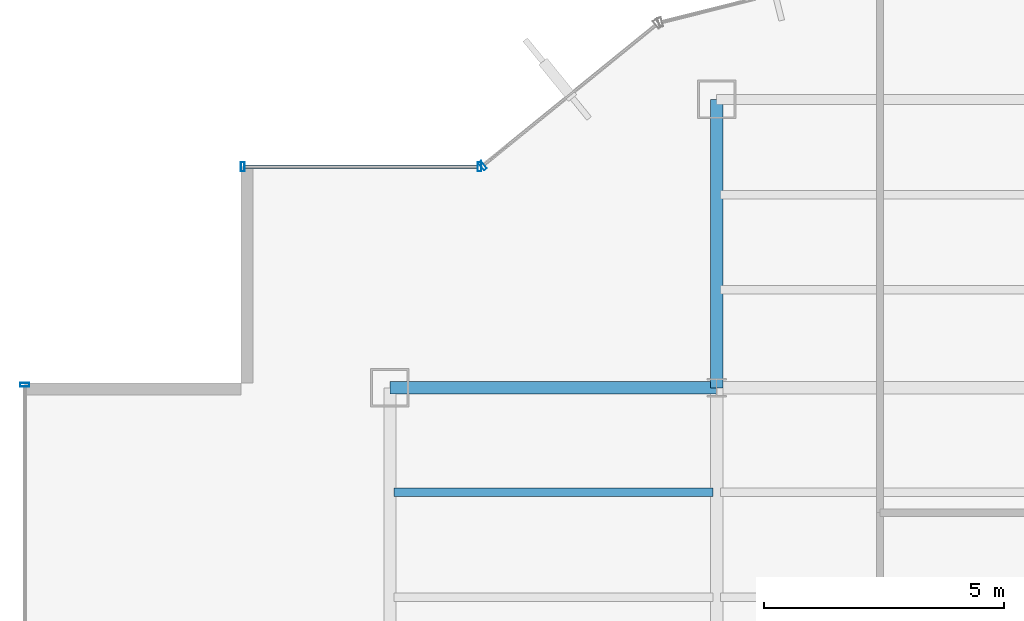
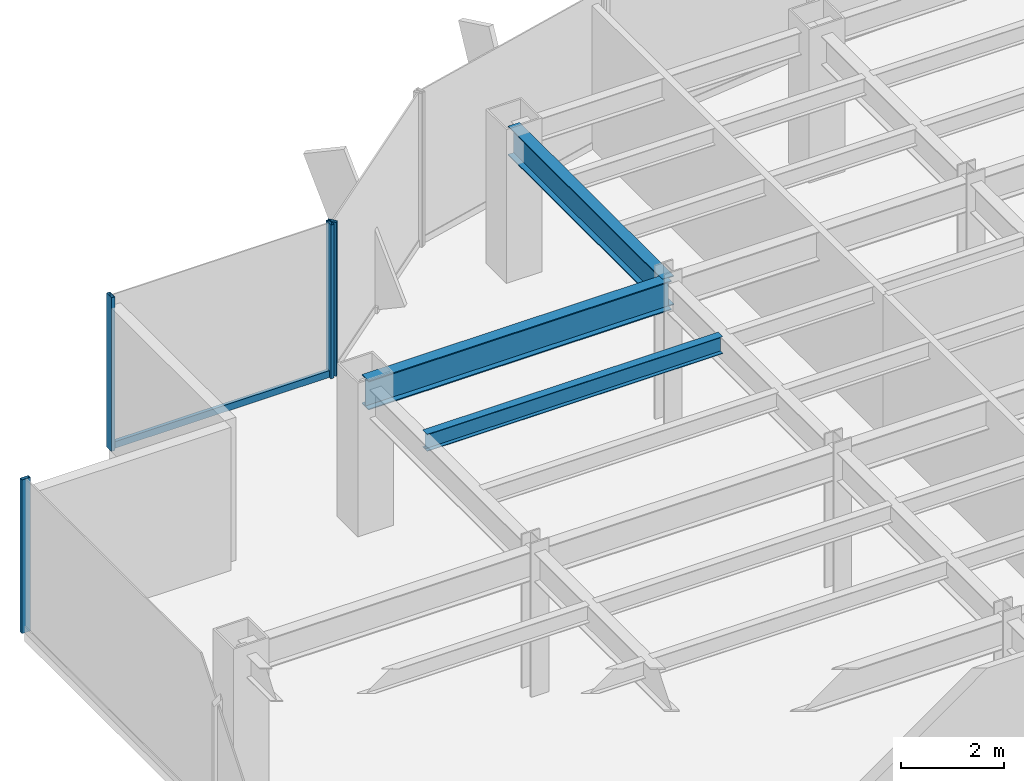
# One storey, part 13 of 26: 5 members, 3 beams, 3 elements without a shape of their own.
"""IFC4 building model written with IfcOpenShell, lengths in metres."""

from ifc_helpers import new_model, si_unit, derived_unit, direction, frame, origin, origin_2d, place, context, subcontext, project, spatial, hollow_rectangle, i_section, extrude, source, transform, mapped, material, material_profile, profile_set, type_object, element, aggregate, save


model = new_model("IFC4")

# Units and contexts
model_context = context("Model", 3, precision=1e-05, world=origin(), true_north=direction((0.0, 1.0)))
body_context = subcontext(model_context, "Body", "Model", "MODEL_VIEW")
ifc_project = project(units=[si_unit("LENGTHUNIT", "METRE"), si_unit("AREAUNIT", "SQUARE_METRE"), si_unit("VOLUMEUNIT", "CUBIC_METRE"), si_unit("PLANEANGLEUNIT", "RADIAN"), si_unit("MASSUNIT", "GRAM", prefix="KILO"), derived_unit("THERMALTRANSMITTANCEUNIT", [(si_unit("POWERUNIT", "WATT"), 1), (si_unit("LENGTHUNIT", "METRE"), -2), (si_unit("THERMODYNAMICTEMPERATUREUNIT", "KELVIN"), -1)])], contexts=[model_context])

# Site, building, storey
site_placement = place(None, origin())
site = spatial("IfcSite", under=ifc_project, at=site_placement, CompositionType="ELEMENT")
building_placement = place(site_placement, origin())
building = spatial("IfcBuilding", under=site, at=building_placement, Name="Skarnbrae Concourse Arena and Tower", CompositionType="ELEMENT")
storey_placement = place(building_placement, frame((0.0, 0.0, 114.199951171875)))
storey = spatial("IfcBuildingStorey", under=building, at=storey_placement, Name="L28", CompositionType="ELEMENT", Elevation=114.199951171875)

# Beams
ifc_material_1 = material(Name="Steel CSA G40.21 350W", Category="steel")
ifc_material_profile_1 = material_profile(ifc_material_1, i_section(OverallWidth=0.256103515625, OverallDepth=0.693115234375, WebThickness=0.014404296875, FlangeThickness=0.023681640625, at=origin_2d()), Name="W690X170")
ifc_profile_set_1 = profile_set([ifc_material_profile_1], Name="Steel CSA G40.21 350W")
beam_type_1 = type_object("IfcBeamType", Name="BM-GIRD-W690X170", PredefinedType="BEAM", material=ifc_profile_set_1)
shared_shape_1 = source(origin(), body_context, "Body", "SweptSolid", [
    extrude(i_section(OverallWidth=0.256103515625, OverallDepth=0.693115234375, WebThickness=0.014404296875, FlangeThickness=0.023681640625, at=origin_2d()), origin(), (0.0, 0.0, 1.0), 6.7998046875),
])
beam_1_placement = place(storey_placement, frame((7.60009765625, 34.39990234375, 3.053466796875), z_axis=(1.0, 0.0, 0.0), x_axis=(0.0, 1.0, 0.0)))
element("IfcBeam", 1, at=beam_1_placement, inside=storey, type_object=beam_type_1, Name="L28 Primary E-W girder Y34.4-1", PredefinedType="BEAM", context=body_context, shape_type="MappedRepresentation", body=[
    mapped(shared_shape_1, transform((0.0, 0.0, 0.0))),
])
shared_shape_2 = source(origin(), body_context, "Body", "SweptSolid", [
    extrude(i_section(OverallWidth=0.256103515625, OverallDepth=0.693115234375, WebThickness=0.014404296875, FlangeThickness=0.023681640625, at=origin_2d()), origin(), (0.0, 0.0, 1.0), 6.0),
])
beam_2_placement = place(storey_placement, frame((14.39990234375, 34.39990234375, 3.053466796875), z_axis=(0.0, 1.0, 0.0), x_axis=(-1.0, 0.0, 0.0)))
element("IfcBeam", 2, at=beam_2_placement, inside=storey, type_object=beam_type_1, Name="L28 Primary N-S girder X14.4-4", PredefinedType="BEAM", context=body_context, shape_type="MappedRepresentation", body=[
    mapped(shared_shape_2, transform((0.0, 0.0, 0.0))),
])
ifc_material_profile_2 = material_profile(ifc_material_1, i_section(OverallWidth=0.177978515625, OverallDepth=0.406982421875, WebThickness=0.0078125, FlangeThickness=0.0126953125, at=origin_2d()), Name="W410X60")
ifc_profile_set_2 = profile_set([ifc_material_profile_2], Name="Steel CSA G40.21 350W")
beam_type_2 = type_object("IfcBeamType", Name="BM-JOIST-W410X60", PredefinedType="JOIST", material=ifc_profile_set_2)
shared_shape_3 = source(origin(), body_context, "Body", "SweptSolid", [
    extrude(i_section(OverallWidth=0.177978515625, OverallDepth=0.406982421875, WebThickness=0.0078125, FlangeThickness=0.0126953125, at=origin_2d()), origin(), (0.0, 0.0, 1.0), 6.64013671875),
])
beam_3_placement = place(storey_placement, frame((7.679931640625, 32.221923828125, 3.196533203125), z_axis=(1.0, 0.0, 0.0), x_axis=(0.0, 1.0, 0.0)))
element("IfcBeam", 3, at=beam_3_placement, inside=storey, type_object=beam_type_2, Name="L28 Secondary floor joist 3.2.1", PredefinedType="JOIST", context=body_context, shape_type="MappedRepresentation", body=[
    mapped(shared_shape_3, transform((0.0, 0.0, 0.0))),
])

# Curtain wall, member
ifc_material_2 = material(Name="Bronze anodised aluminium 6063-T6", Category="aluminium")
curtain_wall_type = type_object("IfcCurtainWallType", Name="CW-SYS-04-MIDZONE", PredefinedType="USERDEFINED", material=ifc_material_2)
curtain_wall_1_placement = place(storey_placement, origin())
curtain_wall_1 = element("IfcCurtainWall", 4, at=curtain_wall_1_placement, inside=storey, type_object=curtain_wall_type, Name="L28 Unitised curtain wall CW-L28-E15", ObjectType="UNITISED CURTAIN WALL", PredefinedType="USERDEFINED")
ifc_material_profile_3 = material_profile(ifc_material_2, hollow_rectangle(XDim=0.074951171875, YDim=0.195068359375, WallThickness=0.00439453125, at=origin_2d()), Name="ALU-MULL-75X195")
ifc_profile_set_3 = profile_set([ifc_material_profile_3], Name="Bronze anodised aluminium 6063-T6")
member_type_1 = type_object("IfcMemberType", Name="CWM-CW-04", PredefinedType="MULLION", material=ifc_profile_set_3)
shared_shape_4 = source(origin(), body_context, "Body", "SweptSolid", [
    extrude(hollow_rectangle(XDim=0.074951171875, YDim=0.195068359375, WallThickness=0.00439453125, at=origin_2d()), origin(), (0.0, 0.0, 1.0), 3.650146484375),
])
member_1_placement = place(storey_placement, frame((9.529052734375, 39.023681640625, 0.0), z_axis=(0.0, 0.0, 1.0), x_axis=(-0.776241200471, -0.630436038542, 0.0)))
member_1 = element("IfcMember", 5, at=member_1_placement, type_object=member_type_1, Name="CW-L28-E15 Mullion 2", PredefinedType="MULLION", context=body_context, shape_type="MappedRepresentation", body=[
    mapped(shared_shape_4, transform((0.0, 0.0, 0.0))),
])
aggregate(curtain_wall_1, [member_1])

# Curtain wall, members
curtain_wall_2_placement = place(storey_placement, origin())
curtain_wall_2 = element("IfcCurtainWall", 6, at=curtain_wall_2_placement, inside=storey, type_object=curtain_wall_type, Name="L28 Unitised curtain wall CW-L28-E16", ObjectType="UNITISED CURTAIN WALL", PredefinedType="USERDEFINED")
member_2_placement = place(storey_placement, frame((9.46240234375, 39.0, 0.0), z_axis=(0.0, 0.0, 1.0), x_axis=(-1.0, 0.0, 0.0)))
member_2 = element("IfcMember", 7, at=member_2_placement, type_object=member_type_1, Name="CW-L28-E16 Mullion 1", PredefinedType="MULLION", context=body_context, shape_type="MappedRepresentation", body=[
    mapped(shared_shape_4, transform((0.0, 0.0, 0.0))),
])
member_3_placement = place(storey_placement, frame((4.53759765625, 39.0, 0.0), z_axis=(0.0, 0.0, 1.0), x_axis=(-1.0, 0.0, 0.0)))
member_3 = element("IfcMember", 8, at=member_3_placement, type_object=member_type_1, Name="CW-L28-E16 Mullion 2", PredefinedType="MULLION", context=body_context, shape_type="MappedRepresentation", body=[
    mapped(shared_shape_4, transform((0.0, 0.0, 0.0))),
])

# Curtain wall, member
curtain_wall_3_placement = place(storey_placement, origin())
curtain_wall_3 = element("IfcCurtainWall", 9, at=curtain_wall_3_placement, inside=storey, type_object=curtain_wall_type, Name="L28 Unitised curtain wall CW-L28-E19", ObjectType="UNITISED CURTAIN WALL", PredefinedType="USERDEFINED")
member_4_placement = place(storey_placement, frame((0.0, 34.46240234375, 0.0), z_axis=(0.0, 0.0, 1.0), x_axis=(0.0, -1.0, 0.0)))
member_4 = element("IfcMember", 10, at=member_4_placement, type_object=member_type_1, Name="CW-L28-E19 Mullion 1", PredefinedType="MULLION", context=body_context, shape_type="MappedRepresentation", body=[
    mapped(shared_shape_4, transform((0.0, 0.0, 0.0))),
])
aggregate(curtain_wall_3, [member_4])

# Member
ifc_material_profile_4 = material_profile(ifc_material_2, hollow_rectangle(XDim=0.074951171875, YDim=0.159912109375, WallThickness=0.00439453125, at=origin_2d()), Name="ALU-TRAN-75X160")
ifc_profile_set_4 = profile_set([ifc_material_profile_4], Name="Bronze anodised aluminium 6063-T6")
member_type_2 = type_object("IfcMemberType", Name="CWT-CW-04", PredefinedType="USERDEFINED", material=ifc_profile_set_4)
shared_shape_5 = source(origin(), body_context, "Body", "SweptSolid", [
    extrude(hollow_rectangle(XDim=0.074951171875, YDim=0.159912109375, WallThickness=0.00439453125, at=origin_2d()), origin(), (0.0, 0.0, 1.0), 4.85009765625),
])
member_5_placement = place(storey_placement, frame((9.425048828125, 39.0, 0.080078125), z_axis=(-1.0, 0.0, 0.0), x_axis=(0.0, -1.0, 0.0)))
member_5 = element("IfcMember", 11, at=member_5_placement, type_object=member_type_2, Name="CW-L28-E16 Transom 1", ObjectType="TRANSOM", PredefinedType="USERDEFINED", context=body_context, shape_type="MappedRepresentation", body=[
    mapped(shared_shape_5, transform((0.0, 0.0, 0.0))),
])

aggregate(curtain_wall_2, [member_2, member_3, member_5])

save(model, "model.ifc")
